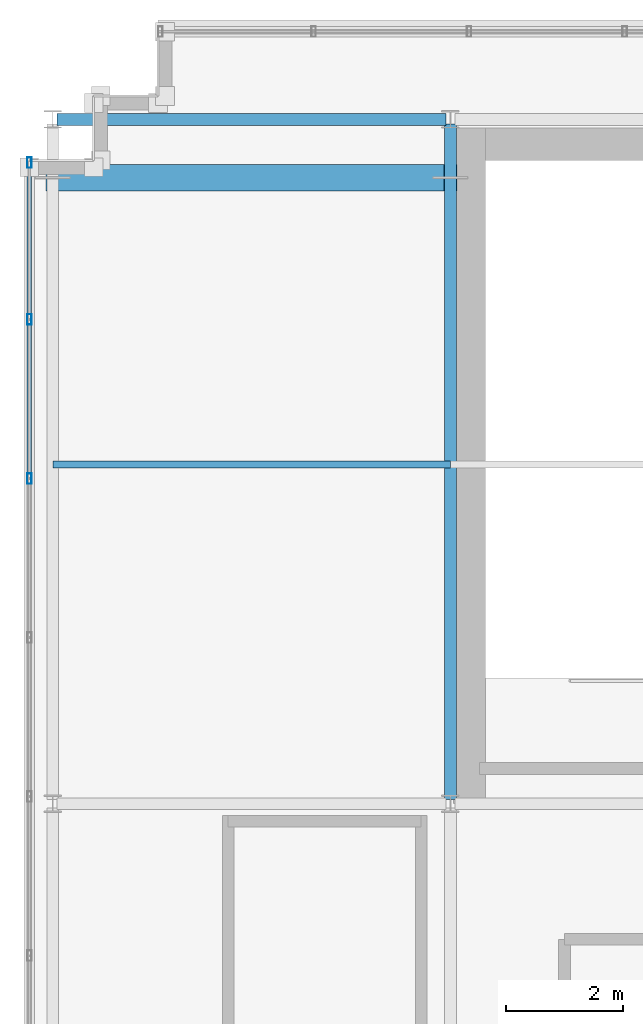
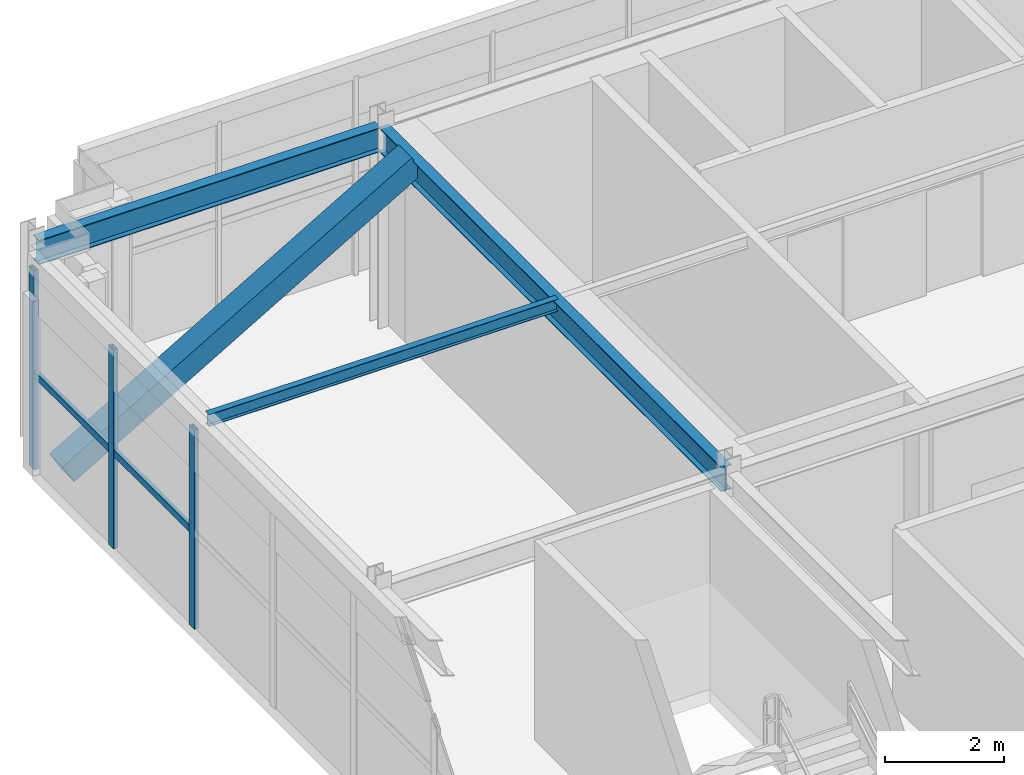
# One storey, part 11 of 37: 7 members, 2 beams, 1 element without a shape of its own.
"""IFC4 building model written with IfcOpenShell, lengths in metres."""

from ifc_helpers import new_model, si_unit, direction, frame, origin, origin_2d, place, context, subcontext, project, spatial, hollow_rectangle, i_section, extrude, source, transform, mapped, material, material_profile, profile_set, type_object, element, aggregate, save


model = new_model("IFC4")

# Units and contexts
model_context = context("Model", 3, precision=1e-05, world=origin(), true_north=direction((0.0, 1.0)))
body_context = subcontext(model_context, "Body", "Model", "MODEL_VIEW")
ifc_project = project(units=[si_unit("LENGTHUNIT", "METRE"), si_unit("AREAUNIT", "SQUARE_METRE"), si_unit("VOLUMEUNIT", "CUBIC_METRE"), si_unit("PLANEANGLEUNIT", "RADIAN"), si_unit("MASSUNIT", "GRAM", prefix="KILO")], contexts=[model_context])

# Site, building, storey
site_placement = place(None, origin())
site = spatial("IfcSite", under=ifc_project, at=site_placement, CompositionType="ELEMENT")
building_placement = place(site_placement, origin())
building = spatial("IfcBuilding", under=site, at=building_placement, Name="Trelvane Seafront Commons", CompositionType="ELEMENT")
storey_placement = place(building_placement, frame((0.0, 0.0, 303.5)))
storey = spatial("IfcBuildingStorey", under=building, at=storey_placement, Name="L79", CompositionType="ELEMENT", Elevation=303.5)

# Beams
ifc_material_1 = material(Name="Steel SM355 (S355)", Category="steel")
ifc_material_profile_1 = material_profile(ifc_material_1, i_section(OverallWidth=0.199951171875, OverallDepth=0.5, WebThickness=0.010009765625, FlangeThickness=0.01611328125, at=origin_2d()), Name="H-500x200x10x16")
ifc_profile_set_1 = profile_set([ifc_material_profile_1], Name="Steel SM355 (S355)")
beam_type_1 = type_object("IfcBeamType", Name="STR-CROWN-FRAME-RING", PredefinedType="SPANDREL", material=ifc_profile_set_1)
shared_shape_1 = source(origin(), body_context, "Body", "SweptSolid", [
    extrude(i_section(OverallWidth=0.199951171875, OverallDepth=0.5, WebThickness=0.010009765625, FlangeThickness=0.01611328125, at=origin_2d()), origin(), (0.0, 0.0, 1.0), 6.64990234375),
])
beam_1_placement = place(storey_placement, frame((8.875, 45.10009765625, 3.85009765625), z_axis=(1.0, 0.0, 0.0), x_axis=(0.0, 1.0, 0.0)))
element("IfcBeam", 1, at=beam_1_placement, inside=storey, type_object=beam_type_1, Name="L79 CROWN FRAME Ring Beam G-15", PredefinedType="SPANDREL", context=body_context, shape_type="MappedRepresentation", body=[
    mapped(shared_shape_1, transform((0.0, 0.0, 0.0), x_axis=(1.0, 0.0, 0.0), y_axis=(0.0, 1.0, 0.0), z_axis=(0.0, 0.0, 1.0), scale=1.0)),
])
ifc_material_profile_2 = material_profile(ifc_material_1, i_section(OverallWidth=0.199951171875, OverallDepth=0.5, WebThickness=0.010009765625, FlangeThickness=0.01611328125, at=origin_2d()), Name="H-500x200x10x16")
ifc_profile_set_2 = profile_set([ifc_material_profile_2], Name="Steel SM355 (S355)")
beam_type_2 = type_object("IfcBeamType", Name="STR-BM-H500", PredefinedType="BEAM", material=ifc_profile_set_2)
shared_shape_2 = source(origin(), body_context, "Body", "SweptSolid", [
    extrude(i_section(OverallWidth=0.199951171875, OverallDepth=0.5, WebThickness=0.010009765625, FlangeThickness=0.01611328125, at=origin_2d()), origin(), (0.0, 0.0, 1.0), 11.5498046875),
])
beam_2_placement = place(storey_placement, frame((15.60009765625, 33.47509765625, 3.85009765625), z_axis=(0.0, 1.0, 0.0), x_axis=(-1.0, 0.0, 0.0)))
element("IfcBeam", 2, at=beam_2_placement, inside=storey, type_object=beam_type_2, Name="L79 Primary Girder G-25", PredefinedType="BEAM", context=body_context, shape_type="MappedRepresentation", body=[
    mapped(shared_shape_2, transform((0.0, 0.0, 0.0), x_axis=(1.0, 0.0, 0.0), y_axis=(0.0, 1.0, 0.0), z_axis=(0.0, 0.0, 1.0), scale=1.0)),
])

# Members
ifc_material_profile_3 = material_profile(ifc_material_1, i_section(OverallWidth=0.125, OverallDepth=0.25, WebThickness=0.006103515625, FlangeThickness=0.009033203125, at=origin_2d()), Name="H-250x125x6x9")
ifc_profile_set_3 = profile_set([ifc_material_profile_3], Name="Steel SM355 (S355)")
member_type_1 = type_object("IfcMemberType", Name="STR-PUR-H250", PredefinedType="PURLIN", material=ifc_profile_set_3)
shared_shape_3 = source(origin(), body_context, "Body", "SweptSolid", [
    extrude(i_section(OverallWidth=0.125, OverallDepth=0.25, WebThickness=0.006103515625, FlangeThickness=0.009033203125, at=origin_2d()), origin(), (0.0, 0.0, 1.0), 6.800048828125),
])
member_1_placement = place(storey_placement, frame((8.800048828125, 39.199951171875, 3.97509765625), z_axis=(1.0, 0.0, 0.0), x_axis=(0.0, 1.0, 0.0)))
element("IfcMember", 3, at=member_1_placement, inside=storey, type_object=member_type_1, Name="L79 Crown Roof Purlin PR-2", PredefinedType="PURLIN", context=body_context, shape_type="MappedRepresentation", body=[
    mapped(shared_shape_3, transform((0.0, 0.0, 0.0), x_axis=(1.0, 0.0, 0.0), y_axis=(0.0, 1.0, 0.0), z_axis=(0.0, 0.0, 1.0), scale=1.0)),
])
ifc_material_profile_4 = material_profile(ifc_material_1, hollow_rectangle(XDim=0.449951171875, YDim=0.449951171875, WallThickness=0.02001953125, at=origin_2d()), Name="RHS-450x450x20")
ifc_profile_set_4 = profile_set([ifc_material_profile_4], Name="Steel SM355 (S355)")
member_type_2 = type_object("IfcMemberType", Name="STR-BRC-RHS450", PredefinedType="BRACE", material=ifc_profile_set_4)
shared_shape_4 = source(origin(), body_context, "Body", "SweptSolid", [
    extrude(hollow_rectangle(XDim=0.449951171875, YDim=0.449951171875, WallThickness=0.02001953125, at=origin_2d()), origin(), (0.0, 0.0, 1.0), 7.879150390625),
])
member_2_placement = place(storey_placement, frame((8.800048828125, 44.10009765625, 0.0), z_axis=(0.863044121855, 0.0, 0.50512854179), x_axis=(0.0, 1.0, 0.0)))
element("IfcMember", 4, at=member_2_placement, inside=storey, type_object=member_type_2, Name="L79 CROWN FRAME Diagonal Brace CW", PredefinedType="BRACE", context=body_context, shape_type="MappedRepresentation", body=[
    mapped(shared_shape_4, transform((0.0, 0.0, 0.0), x_axis=(1.0, 0.0, 0.0), y_axis=(0.0, 1.0, 0.0), z_axis=(0.0, 0.0, 1.0), scale=1.0)),
])

# Curtain wall, members
ifc_material_2 = material(Name="Anodised pale-silver aluminium", Category="aluminium")
curtain_wall_type = type_object("IfcCurtainWallType", Name="ARCH-CW6-CROWN", PredefinedType="NOTDEFINED", material=ifc_material_2)
curtain_wall_placement = place(storey_placement, origin())
curtain_wall = element("IfcCurtainWall", 5, at=curtain_wall_placement, inside=storey, type_object=curtain_wall_type, Name="CW-L79-0128", PredefinedType="NOTDEFINED")
ifc_material_profile_5 = material_profile(ifc_material_2, hollow_rectangle(XDim=0.080078125, YDim=0.179931640625, WallThickness=0.00439453125, at=origin_2d()), Name="MULL-80x180x4.5")
ifc_profile_set_5 = profile_set([ifc_material_profile_5], Name="Anodised pale-silver aluminium")
member_type_3 = type_object("IfcMemberType", Name="ARCH-CW-MULL-180", PredefinedType="MULLION", material=ifc_profile_set_5)
shared_shape_5 = source(origin(), body_context, "Body", "SweptSolid", [
    extrude(hollow_rectangle(XDim=0.080078125, YDim=0.179931640625, WallThickness=0.00439453125, at=origin_2d()), origin(), (0.0, 0.0, 1.0), 4.10009765625),
])
member_3_placement = place(storey_placement, frame((8.39990234375, 38.9599609375, 0.0), z_axis=(0.0, 0.0, 1.0), x_axis=(1.0, 0.0, 0.0)))
member_3 = element("IfcMember", 6, at=member_3_placement, type_object=member_type_3, Name="CW-L79-0128-M08", PredefinedType="MULLION", context=body_context, shape_type="MappedRepresentation", body=[
    mapped(shared_shape_5, transform((0.0, 0.0, 0.0), x_axis=(1.0, 0.0, 0.0), y_axis=(0.0, 1.0, 0.0), z_axis=(0.0, 0.0, 1.0), scale=1.0)),
])
member_4_placement = place(storey_placement, frame((8.39990234375, 41.679931640625, 0.0), z_axis=(0.0, 0.0, 1.0), x_axis=(1.0, 0.0, 0.0)))
member_4 = element("IfcMember", 7, at=member_4_placement, type_object=member_type_3, Name="CW-L79-0128-M09", PredefinedType="MULLION", context=body_context, shape_type="MappedRepresentation", body=[
    mapped(shared_shape_5, transform((0.0, 0.0, 0.0), x_axis=(1.0, 0.0, 0.0), y_axis=(0.0, 1.0, 0.0), z_axis=(0.0, 0.0, 1.0), scale=1.0)),
])
member_5_placement = place(storey_placement, frame((8.39990234375, 44.360107421875, 0.0), z_axis=(0.0, 0.0, 1.0), x_axis=(1.0, 0.0, 0.0)))
member_5 = element("IfcMember", 8, at=member_5_placement, type_object=member_type_3, Name="CW-L79-0128-M10", PredefinedType="MULLION", context=body_context, shape_type="MappedRepresentation", body=[
    mapped(shared_shape_5, transform((0.0, 0.0, 0.0), x_axis=(1.0, 0.0, 0.0), y_axis=(0.0, 1.0, 0.0), z_axis=(0.0, 0.0, 1.0), scale=1.0)),
])
ifc_material_profile_6 = material_profile(ifc_material_2, hollow_rectangle(XDim=0.074951171875, YDim=0.139892578125, WallThickness=0.00390625, at=origin_2d()), Name="TRAN-75x140x4")
ifc_profile_set_6 = profile_set([ifc_material_profile_6], Name="Anodised pale-silver aluminium")
member_type_4 = type_object("IfcMemberType", Name="ARCH-CW-TRAN-140", PredefinedType="USERDEFINED", material=ifc_profile_set_6)
shared_shape_6 = source(origin(), body_context, "Body", "SweptSolid", [
    extrude(hollow_rectangle(XDim=0.074951171875, YDim=0.139892578125, WallThickness=0.00390625, at=origin_2d()), origin(), (0.0, 0.0, 1.0), 2.696044921875),
])
member_6_placement = place(storey_placement, frame((8.39990234375, 38.971923828125, 1.968017578125), z_axis=(0.0, 1.0, 0.0), x_axis=(-1.0, 0.0, 0.0)))
member_6 = element("IfcMember", 9, at=member_6_placement, type_object=member_type_4, Name="CW-L79-0128-T08", ObjectType="TRANSOM", PredefinedType="USERDEFINED", context=body_context, shape_type="MappedRepresentation", body=[
    mapped(shared_shape_6, transform((0.0, 0.0, 0.0), x_axis=(1.0, 0.0, 0.0), y_axis=(0.0, 1.0, 0.0), z_axis=(0.0, 0.0, 1.0), scale=1.0)),
])
member_7_placement = place(storey_placement, frame((8.39990234375, 41.69189453125, 1.968017578125), z_axis=(0.0, 1.0, 0.0), x_axis=(-1.0, 0.0, 0.0)))
member_7 = element("IfcMember", 10, at=member_7_placement, type_object=member_type_4, Name="CW-L79-0128-T09", ObjectType="TRANSOM", PredefinedType="USERDEFINED", context=body_context, shape_type="MappedRepresentation", body=[
    mapped(shared_shape_6, transform((0.0, 0.0, 0.0), x_axis=(1.0, 0.0, 0.0), y_axis=(0.0, 1.0, 0.0), z_axis=(0.0, 0.0, 1.0), scale=1.0)),
])
aggregate(curtain_wall, [member_3, member_4, member_5, member_6, member_7])

save(model, "model.ifc")
